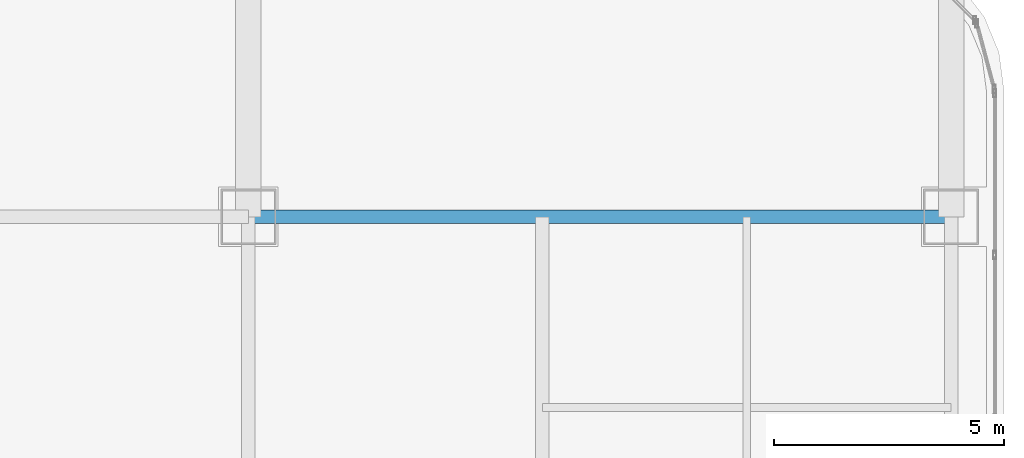
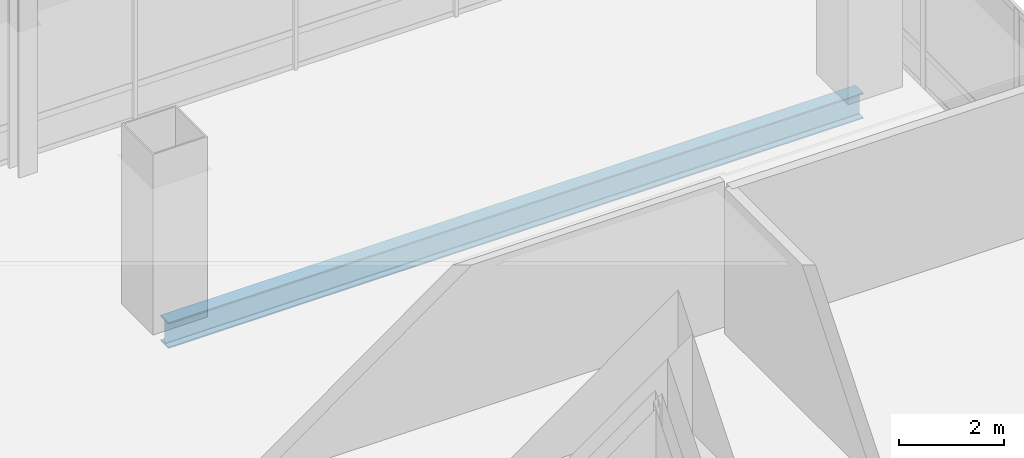
# One storey, part 28 of 42: 1 beam.
"""IFC4 building model written with IfcOpenShell, lengths in metres."""

from ifc_helpers import new_model, si_unit, direction, frame, origin, origin_2d, place, context, subcontext, project, spatial, i_section, extrude, material, material_profile, profile_set, type_object, element, save


model = new_model("IFC4")

# Units and contexts
model_context = context("Model", 3, precision=1e-05, world=origin(), true_north=direction((0.0, 1.0)))
body_context = subcontext(model_context, "Body", "Model", "MODEL_VIEW")
ifc_project = project(units=[si_unit("LENGTHUNIT", "METRE"), si_unit("AREAUNIT", "SQUARE_METRE"), si_unit("VOLUMEUNIT", "CUBIC_METRE"), si_unit("PLANEANGLEUNIT", "RADIAN"), si_unit("MASSUNIT", "GRAM", prefix="KILO")], contexts=[model_context])

# Site, building, storey
site_placement = place(None, origin())
site = spatial("IfcSite", under=ifc_project, at=site_placement, CompositionType="ELEMENT")
building_placement = place(site_placement, origin())
building = spatial("IfcBuilding", under=site, at=building_placement, Name="Punatoya Terracotta Tower", CompositionType="ELEMENT")
storey_placement = place(building_placement, frame((0.0, 0.0, 296.39990234375)))
storey = spatial("IfcBuildingStorey", under=building, at=storey_placement, Name="L70", CompositionType="ELEMENT", Elevation=296.39990234375)

# Beam
ifc_material = material(Name="Steel S355", Category="steel")
ifc_material_profile = material_profile(ifc_material, i_section(OverallWidth=0.300048828125, OverallDepth=0.60009765625, WebThickness=0.015380859375, FlangeThickness=0.030029296875, FilletRadius=0.01806640625, at=origin_2d()))
ifc_profile_set = profile_set([ifc_material_profile], Name="Steel S355")
beam_type = type_object("IfcBeamType", Name="BM-PRI-600", PredefinedType="BEAM", material=ifc_profile_set)
beam_placement = place(storey_placement, frame((3.800048828125, 17.5, -0.5), z_axis=(1.0, 0.0, 0.0), x_axis=(0.0, 1.0, 0.0)))
element("IfcBeam", 1, at=beam_placement, inside=storey, type_object=beam_type, Name="BM-L70-RG-N3", PredefinedType="BEAM", context=body_context, shape_type="SweptSolid", body=[
    extrude(i_section(OverallWidth=0.300048828125, OverallDepth=0.60009765625, WebThickness=0.015380859375, FlangeThickness=0.030029296875, FilletRadius=0.01806640625, at=origin_2d()), origin(), (0.0, 0.0, 1.0), 15.300048828125),
])

save(model, "model.ifc")
